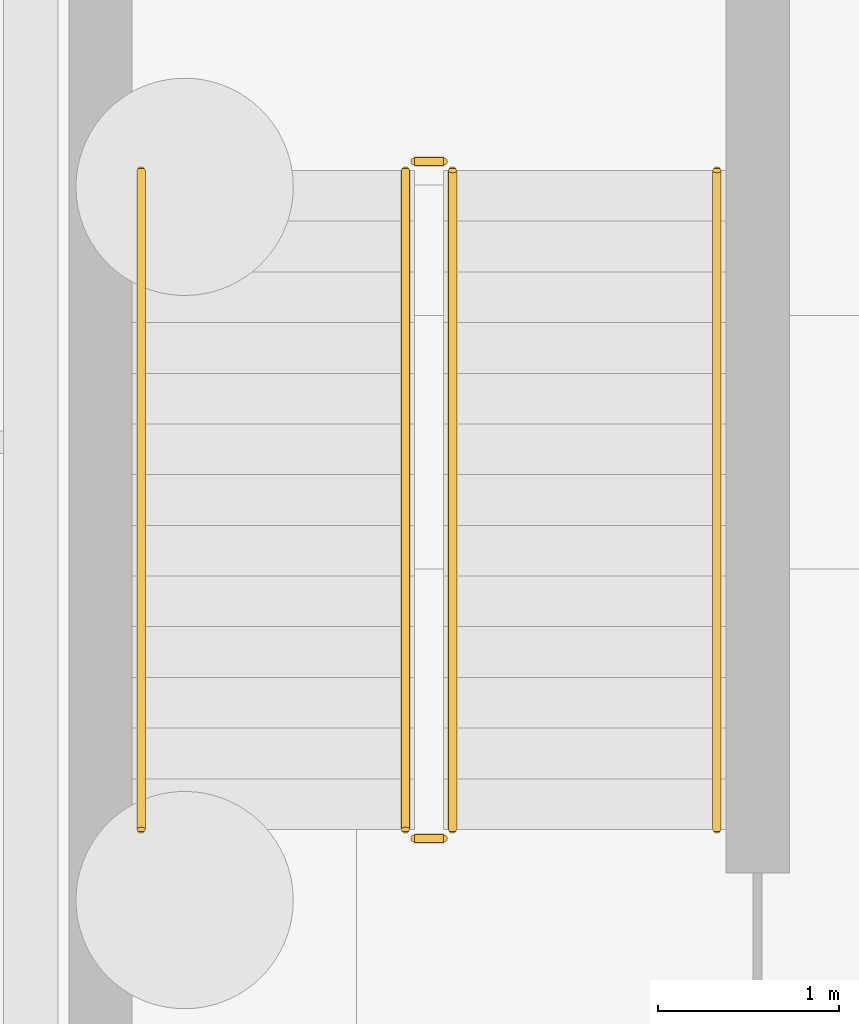
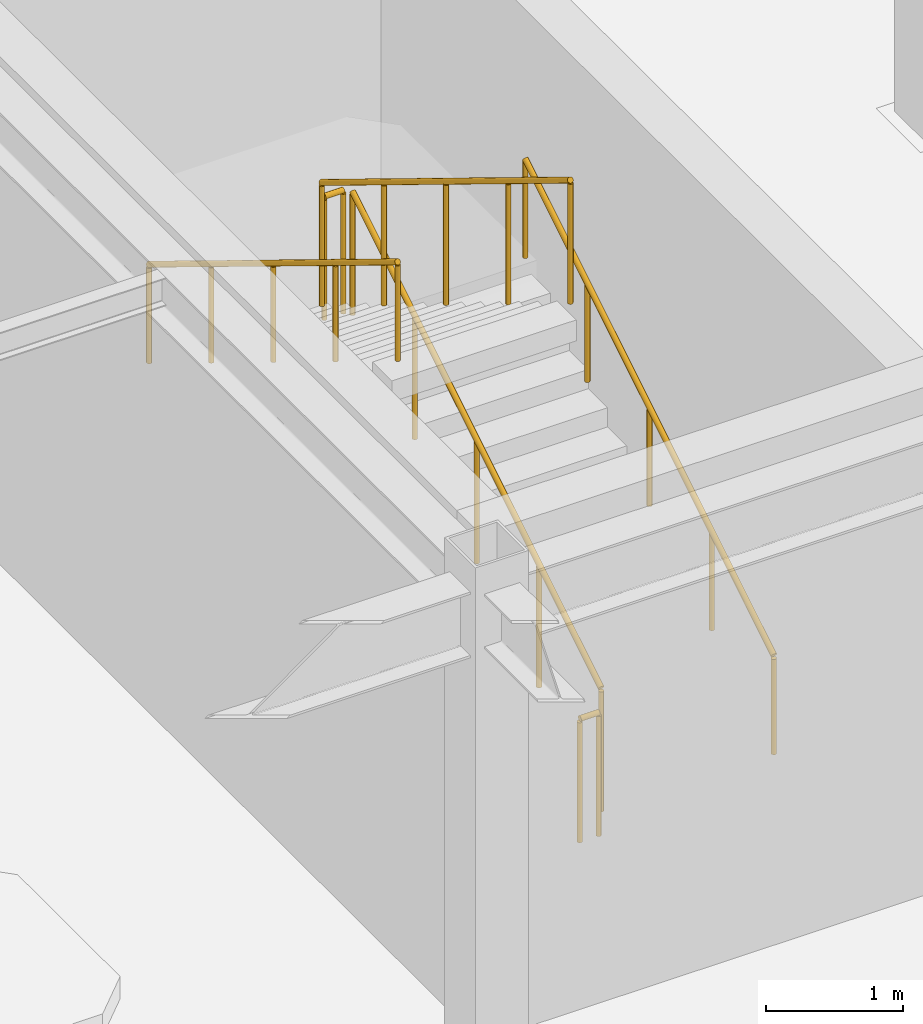
# One storey, part 61 of 74: 6 railings.
"""IFC4 building model written with IfcOpenShell, lengths in metres."""

from ifc_helpers import new_model, si_unit, direction, frame, origin, origin_2d, place, context, subcontext, project, spatial, circle, extrude, material, type_object, element, save


model = new_model("IFC4")

# Units and contexts
model_context = context("Model", 3, precision=1e-05, world=origin(), true_north=direction((0.0, 1.0)))
body_context = subcontext(model_context, "Body", "Model", "MODEL_VIEW")
ifc_project = project(units=[si_unit("LENGTHUNIT", "METRE"), si_unit("AREAUNIT", "SQUARE_METRE"), si_unit("VOLUMEUNIT", "CUBIC_METRE"), si_unit("PLANEANGLEUNIT", "RADIAN"), si_unit("MASSUNIT", "GRAM", prefix="KILO")], contexts=[model_context])

# Site, building, storey
site_placement = place(None, origin())
site = spatial("IfcSite", under=ifc_project, at=site_placement, CompositionType="ELEMENT")
building_placement = place(site_placement, origin())
building = spatial("IfcBuilding", under=site, at=building_placement, Name="Suzunagisa Mobility Hub", CompositionType="ELEMENT")
storey_placement = place(building_placement, frame((0.0, 0.0, -4.800048828125)))
storey = spatial("IfcBuildingStorey", under=building, at=storey_placement, Name="B1", CompositionType="ELEMENT", Elevation=-4.800048828125)

# Railings
ifc_material = material(Name="Stainless Steel SUS304", Category="metal")
railing_type_1 = type_object("IfcRailingType", Name="Interior Well Guardrail IGR-01", PredefinedType="GUARDRAIL", material=ifc_material)
railing_1_placement = place(storey_placement, frame((11.330078125, 11.360107421875, 0.17138671875)))
element("IfcRailing", 1, at=railing_1_placement, inside=storey, type_object=railing_type_1, Name="B1 ST-02 stair guard 1", PredefinedType="GUARDRAIL", context=body_context, shape_type="SweptSolid", body=[
    extrude(circle(Radius=0.02392578125, at=origin_2d()), frame((0.0, 0.0, 1.09619140625), z_axis=(0.0, 0.852824790078, 0.522197163366), x_axis=(-1.0, 0.0, 0.0)), (0.0, 0.0, 1.0), 4.26806640625),
    extrude(circle(Radius=0.02099609375, at=origin_2d()), origin(), (0.0, 0.0, 1.0), 1.072021484375),
    extrude(circle(Radius=0.02099609375, at=origin_2d()), frame((0.0, 0.909912109375, 0.55712890625)), (0.0, 0.0, 1.0), 1.072021484375),
    extrude(circle(Radius=0.02099609375, at=origin_2d()), frame((0.0, 1.81982421875, 1.1142578125)), (0.0, 0.0, 1.0), 1.072021484375),
    extrude(circle(Radius=0.02099609375, at=origin_2d()), frame((0.0, 2.72998046875, 1.671630859375)), (0.0, 0.0, 1.0), 1.072021484375),
    extrude(circle(Radius=0.02099609375, at=origin_2d()), frame((0.0, 3.639892578125, 2.228759765625)), (0.0, 0.0, 1.0), 1.072021484375),
])
railing_2_placement = place(storey_placement, frame((11.280029296875, 15.050048828125, 2.400146484375)))
element("IfcRailing", 2, at=railing_2_placement, inside=storey, type_object=railing_type_1, Name="B1 ST-02 stair guard 2", PredefinedType="GUARDRAIL", context=body_context, shape_type="SweptSolid", body=[
    extrude(circle(Radius=0.02392578125, at=origin_2d()), frame((0.0, 0.0, 1.09619140625), z_axis=(-1.0, 0.0, 0.0), x_axis=(0.0, -1.0, 0.0)), (0.0, 0.0, 1.0), 0.159912109375),
    extrude(circle(Radius=0.02099609375, at=origin_2d()), origin(), (0.0, 0.0, 1.0), 1.072021484375),
    extrude(circle(Radius=0.02099609375, at=origin_2d()), frame((-0.159912109375, 0.0, 0.0)), (0.0, 0.0, 1.0), 1.072021484375),
])
railing_3_placement = place(storey_placement, frame((11.070068359375, 15.0, 2.571533203125)))
element("IfcRailing", 3, at=railing_3_placement, inside=storey, type_object=railing_type_1, Name="B1 ST-02 stair guard 3", PredefinedType="GUARDRAIL", context=body_context, shape_type="SweptSolid", body=[
    extrude(circle(Radius=0.02392578125, at=origin_2d()), frame((0.0, 0.0, 1.09619140625), z_axis=(0.0, -0.852850264322, 0.5221555579), x_axis=(1.0, 0.0, 0.0)), (0.0, 0.0, 1.0), 4.267822265625),
    extrude(circle(Radius=0.02099609375, at=origin_2d()), origin(), (0.0, 0.0, 1.0), 1.072021484375),
    extrude(circle(Radius=0.02099609375, at=origin_2d()), frame((0.0, -0.909912109375, 0.55712890625)), (0.0, 0.0, 1.0), 1.072021484375),
    extrude(circle(Radius=0.02099609375, at=origin_2d()), frame((0.0, -1.81982421875, 1.1142578125)), (0.0, 0.0, 1.0), 1.072021484375),
    extrude(circle(Radius=0.02099609375, at=origin_2d()), frame((0.0, -2.72998046875, 1.67138671875)), (0.0, 0.0, 1.0), 1.072021484375),
    extrude(circle(Radius=0.02099609375, at=origin_2d()), frame((0.0, -3.639892578125, 2.228515625)), (0.0, 0.0, 1.0), 1.072021484375),
])
railing_4_placement = place(storey_placement, frame((11.280029296875, 11.31005859375, 0.0)))
element("IfcRailing", 4, at=railing_4_placement, inside=storey, type_object=railing_type_1, Name="B1 ST-02 stair guard 4", PredefinedType="GUARDRAIL", context=body_context, shape_type="SweptSolid", body=[
    extrude(circle(Radius=0.02392578125, at=origin_2d()), frame((0.0, 0.0, 1.09619140625), z_axis=(-1.0, 0.0, 0.0), x_axis=(0.0, -1.0, 0.0)), (0.0, 0.0, 1.0), 0.159912109375),
    extrude(circle(Radius=0.02099609375, at=origin_2d()), origin(), (0.0, 0.0, 1.0), 1.072021484375),
    extrude(circle(Radius=0.02099609375, at=origin_2d()), frame((-0.159912109375, 0.0, 0.0)), (0.0, 0.0, 1.0), 1.072021484375),
])
railing_type_2 = type_object("IfcRailingType", Name="Tubular Stainless Stair Handrail IHR-01", PredefinedType="HANDRAIL", material=ifc_material)
railing_5_placement = place(storey_placement, frame((12.7900390625, 11.360107421875, 0.17138671875)))
element("IfcRailing", 5, at=railing_5_placement, inside=storey, type_object=railing_type_2, Name="B1 ST-02 stair handrail 1", PredefinedType="HANDRAIL", context=body_context, shape_type="SweptSolid", body=[
    extrude(circle(Radius=0.02392578125, at=origin_2d()), frame((0.0, 0.0, 0.8759765625), z_axis=(0.0, 0.852824790078, 0.522197163366), x_axis=(-1.0, 0.0, 0.0)), (0.0, 0.0, 1.0), 4.26806640625),
    extrude(circle(Radius=0.02099609375, at=origin_2d()), origin(), (0.0, 0.0, 1.0), 0.851806640625),
    extrude(circle(Radius=0.02099609375, at=origin_2d()), frame((0.0, 0.909912109375, 0.55712890625)), (0.0, 0.0, 1.0), 0.851806640625),
    extrude(circle(Radius=0.02099609375, at=origin_2d()), frame((0.0, 1.81982421875, 1.1142578125)), (0.0, 0.0, 1.0), 0.851806640625),
    extrude(circle(Radius=0.02099609375, at=origin_2d()), frame((0.0, 2.72998046875, 1.671630859375)), (0.0, 0.0, 1.0), 0.851806640625),
    extrude(circle(Radius=0.02099609375, at=origin_2d()), frame((0.0, 3.639892578125, 2.228759765625)), (0.0, 0.0, 1.0), 0.851806640625),
])
railing_6_placement = place(storey_placement, frame((9.610107421875, 15.0, 2.571533203125)))
element("IfcRailing", 6, at=railing_6_placement, inside=storey, type_object=railing_type_2, Name="B1 ST-02 stair handrail 2", PredefinedType="HANDRAIL", context=body_context, shape_type="SweptSolid", body=[
    extrude(circle(Radius=0.02392578125, at=origin_2d()), frame((0.0, 0.0, 0.8759765625), z_axis=(0.0, -0.852850264322, 0.5221555579), x_axis=(1.0, 0.0, 0.0)), (0.0, 0.0, 1.0), 4.267822265625),
    extrude(circle(Radius=0.02099609375, at=origin_2d()), origin(), (0.0, 0.0, 1.0), 0.851806640625),
    extrude(circle(Radius=0.02099609375, at=origin_2d()), frame((0.0, -0.909912109375, 0.55712890625)), (0.0, 0.0, 1.0), 0.851806640625),
    extrude(circle(Radius=0.02099609375, at=origin_2d()), frame((0.0, -1.81982421875, 1.1142578125)), (0.0, 0.0, 1.0), 0.851806640625),
    extrude(circle(Radius=0.02099609375, at=origin_2d()), frame((0.0, -2.72998046875, 1.67138671875)), (0.0, 0.0, 1.0), 0.851806640625),
    extrude(circle(Radius=0.02099609375, at=origin_2d()), frame((0.0, -3.639892578125, 2.228515625)), (0.0, 0.0, 1.0), 0.851806640625),
])

save(model, "model.ifc")
